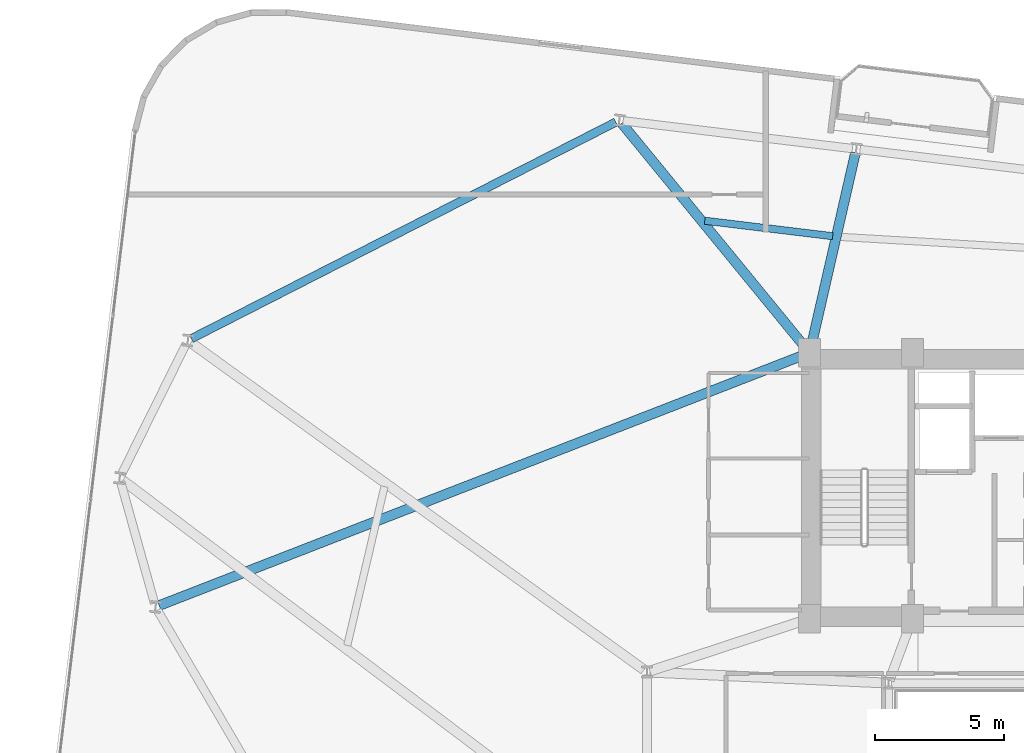
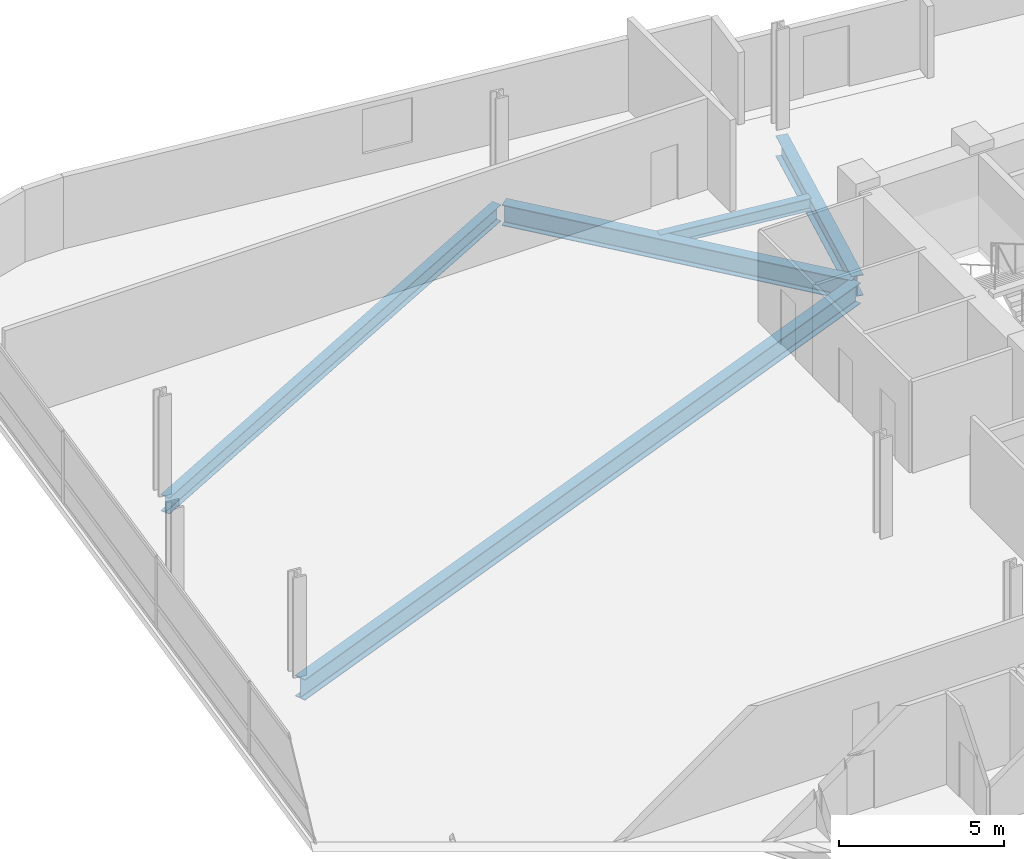
# One storey, part 11 of 26: 5 beams.
"""IFC4 building model written with IfcOpenShell, lengths in metres."""

from ifc_helpers import new_model, si_unit, direction, frame, origin, origin_2d, place, context, subcontext, project, spatial, i_section, extrude, material, material_profile, profile_set, type_object, element, save


model = new_model("IFC4")

# Units and contexts
model_context = context("Model", 3, precision=1e-05, world=origin(), true_north=direction((0.0, 1.0)))
body_context = subcontext(model_context, "Body", "Model", "MODEL_VIEW")
ifc_project = project(units=[si_unit("LENGTHUNIT", "METRE"), si_unit("AREAUNIT", "SQUARE_METRE"), si_unit("VOLUMEUNIT", "CUBIC_METRE"), si_unit("PLANEANGLEUNIT", "RADIAN"), si_unit("MASSUNIT", "GRAM", prefix="KILO")], contexts=[model_context])

# Site, building, storey
site_placement = place(None, origin())
site = spatial("IfcSite", under=ifc_project, at=site_placement, CompositionType="ELEMENT")
building_placement = place(site_placement, origin())
building = spatial("IfcBuilding", under=site, at=building_placement, Name="Varnelok Gate Tower", CompositionType="ELEMENT")
storey_placement = place(building_placement, frame((0.0, 0.0, 158.699951171875)))
storey = spatial("IfcBuildingStorey", under=building, at=storey_placement, Name="L40", CompositionType="ELEMENT", Elevation=158.699951171875)

# Beams
ifc_material = material(Name="Structural Steel ASTM A992 Grade 50", Category="steel")
ifc_material_profile_1 = material_profile(ifc_material, i_section(OverallWidth=0.280029296875, OverallDepth=0.462890625, WebThickness=0.0107421875, FlangeThickness=0.017333984375, FilletRadius=0.014892578125, at=origin_2d()), Name="W18X76")
ifc_profile_set_1 = profile_set([ifc_material_profile_1], Name="Structural Steel ASTM A992 Grade 50")
beam_type_1 = type_object("IfcBeamType", Name="BM-JST-W18X76", PredefinedType="JOIST", material=ifc_profile_set_1)
beam_1_placement = place(storey_placement, frame((31.59033203125, 43.56591796875, -0.4814453125), z_axis=(-0.992737322116, 0.120302158247, 0.0), x_axis=(-0.120302158247, -0.992737322116, 0.0)))
element("IfcBeam", 1, at=beam_1_placement, inside=storey, type_object=beam_type_1, Name="L40 Sector Floor Joist 10", PredefinedType="JOIST", context=body_context, shape_type="SweptSolid", body=[
    extrude(i_section(OverallWidth=0.280029296875, OverallDepth=0.462890625, WebThickness=0.0107421875, FlangeThickness=0.017333984375, FilletRadius=0.014892578125, at=origin_2d()), origin(), (0.0, 0.0, 1.0), 4.992431640625),
])
ifc_material_profile_2 = material_profile(ifc_material, i_section(OverallWidth=0.381103515625, OverallDepth=0.77294921875, WebThickness=0.0166015625, FlangeThickness=0.027099609375, FilletRadius=0.02197265625, at=origin_2d()), Name="W30X173")
ifc_profile_set_2 = profile_set([ifc_material_profile_2], Name="Structural Steel ASTM A992 Grade 50")
beam_type_2 = type_object("IfcBeamType", Name="BM-PRI-W30X173", PredefinedType="BEAM", material=ifc_profile_set_2)
beam_2_placement = place(storey_placement, frame((30.7333984375, 39.1962890625, -0.636474609375), z_axis=(0.223043307507, 0.974808536573, 0.0), x_axis=(-0.974808536573, 0.223043307507, 0.0)))
element("IfcBeam", 2, at=beam_2_placement, inside=storey, type_object=beam_type_2, Name="L40 Radial Floor Girder 12", PredefinedType="BEAM", context=body_context, shape_type="SweptSolid", body=[
    extrude(i_section(OverallWidth=0.381103515625, OverallDepth=0.77294921875, WebThickness=0.0166015625, FlangeThickness=0.027099609375, FilletRadius=0.02197265625, at=origin_2d()), origin(), (0.0, 0.0, 1.0), 7.796875),
])
beam_3_placement = place(storey_placement, frame((30.60498046875, 39.166015625, -0.636474609375), z_axis=(-0.633655000371, 0.773615757663, 0.0), x_axis=(-0.773615757663, -0.633655000371, 0.0)))
element("IfcBeam", 3, at=beam_3_placement, inside=storey, type_object=beam_type_2, Name="L40 Radial Floor Girder 13", PredefinedType="BEAM", context=body_context, shape_type="SweptSolid", body=[
    extrude(i_section(OverallWidth=0.381103515625, OverallDepth=0.77294921875, WebThickness=0.0166015625, FlangeThickness=0.027099609375, FilletRadius=0.02197265625, at=origin_2d()), origin(), (0.0, 0.0, 1.0), 11.341796875),
])
beam_4_placement = place(storey_placement, frame((30.560302734375, 38.99560546875, -0.636474609375), z_axis=(-0.93209869119, -0.362204403454, 0.0), x_axis=(0.362204403454, -0.93209869119, 0.0)))
element("IfcBeam", 4, at=beam_4_placement, inside=storey, type_object=beam_type_2, Name="L40 Radial Floor Girder 16", PredefinedType="BEAM", context=body_context, shape_type="SweptSolid", body=[
    extrude(i_section(OverallWidth=0.381103515625, OverallDepth=0.77294921875, WebThickness=0.0166015625, FlangeThickness=0.027099609375, FilletRadius=0.02197265625, at=origin_2d()), origin(), (0.0, 0.0, 1.0), 26.890869140625),
])
ifc_material_profile_3 = material_profile(ifc_material, i_section(OverallWidth=0.323974609375, OverallDepth=0.611083984375, WebThickness=0.0126953125, FlangeThickness=0.01904296875, FilletRadius=0.01806640625, at=origin_2d()), Name="W24X104")
ifc_profile_set_3 = profile_set([ifc_material_profile_3], Name="Structural Steel ASTM A992 Grade 50")
beam_type_3 = type_object("IfcBeamType", Name="BM-SPN-W24X104", PredefinedType="SPANDREL", material=ifc_profile_set_3)
beam_5_placement = place(storey_placement, frame((23.189697265625, 47.98779296875, -0.555419921875), z_axis=(-0.890729755615, -0.454533279819, 0.0), x_axis=(0.454533279819, -0.890729755615, 0.0)))
element("IfcBeam", 5, at=beam_5_placement, inside=storey, type_object=beam_type_3, Name="L40 Perimeter Spandrel Beam 13", PredefinedType="SPANDREL", context=body_context, shape_type="SweptSolid", body=[
    extrude(i_section(OverallWidth=0.323974609375, OverallDepth=0.611083984375, WebThickness=0.0126953125, FlangeThickness=0.01904296875, FilletRadius=0.01806640625, at=origin_2d()), origin(), (0.0, 0.0, 1.0), 18.466796875),
])

save(model, "model.ifc")
